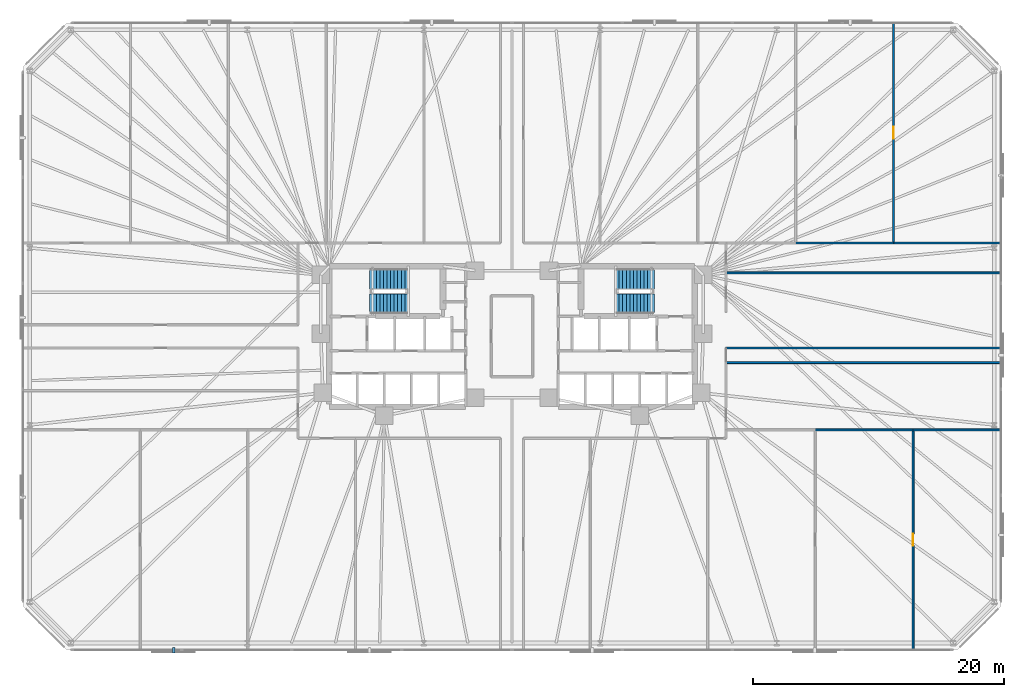
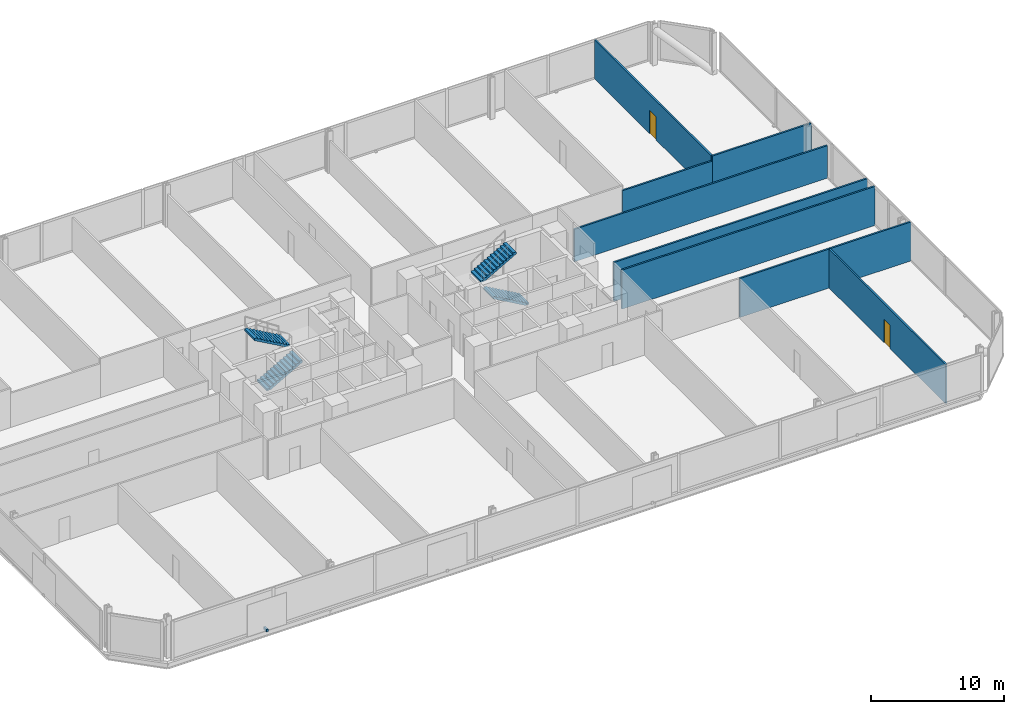
# One storey, part 15 of 17: 9 walls, 4 stair flights, 2 doors, 1 discrete accessory, 2 openings, 2 elements without a shape of their own.
"""IFC4 building model written with IfcOpenShell, lengths in metres."""

from ifc_helpers import new_model, si_unit, direction, frame, frame_2d, origin, origin_2d, place, context, subcontext, project, spatial, polyline, rectangle, outline, extrude, material, layer, layer_set, type_object, element, fill, aggregate, save


model = new_model("IFC4")

# Units and contexts
model_context = context("Model", 3, precision=1e-05, world=origin(), true_north=direction((0.0, 1.0)))
body_context = subcontext(model_context, "Body", "Model", "MODEL_VIEW")
ifc_project = project(units=[si_unit("LENGTHUNIT", "METRE"), si_unit("AREAUNIT", "SQUARE_METRE"), si_unit("VOLUMEUNIT", "CUBIC_METRE"), si_unit("PLANEANGLEUNIT", "RADIAN"), si_unit("MASSUNIT", "GRAM", prefix="KILO")], contexts=[model_context])

# Site, building, storey
site_placement = place(None, origin())
site = spatial("IfcSite", under=ifc_project, at=site_placement, CompositionType="ELEMENT")
building_placement = place(site_placement, origin())
building = spatial("IfcBuilding", under=site, at=building_placement, Name="Menara Jurai Vektor", CompositionType="ELEMENT")
storey_placement = place(building_placement, frame((0.0, 0.0, 37.0)))
storey = spatial("IfcBuildingStorey", under=building, at=storey_placement, Name="L08", CompositionType="ELEMENT", Elevation=37.0)

# Wall
ifc_material_1 = material(Name="Gypsum Fireboard Partition", Category="gypsum")
ifc_layer_1 = layer(ifc_material_1, 0.14990234375)
ifc_layer_set_1 = layer_set([ifc_layer_1], Name="Gypsum Fireboard Partition")
wall_type_1 = type_object("IfcWallType", Name="INT-WALL-CORR-150", PredefinedType="PARTITIONING", material=ifc_layer_set_1)
wall_1_placement = place(storey_placement, frame((17.05908203125, -0.919921875, 0.0), z_axis=(0.0, 0.0, 1.0), x_axis=(1.0, 0.0, 0.0)))
element("IfcWall", 1, at=wall_1_placement, inside=storey, type_object=wall_type_1, Name="Interior Wall IW-150 L08", PredefinedType="PARTITIONING", context=body_context, shape_type="SweptSolid", body=[
    extrude(rectangle(XDim=21.94091796875, YDim=0.14990234375, at=frame_2d((10.970458984375, 0.0))), origin(), (0.0, 0.0, 1.0), 3.574951171875),
])

# Wall, opening, door
wall_2_placement = place(storey_placement, frame((30.419921875, 7.449951171875, 0.0), z_axis=(0.0, 0.0, 1.0), x_axis=(0.0, 1.0, 0.0)))
wall_2 = element("IfcWall", 2, at=wall_2_placement, inside=storey, type_object=wall_type_1, Name="Interior Wall IW-150 L08", PredefinedType="PARTITIONING", context=body_context, shape_type="SweptSolid", body=[
    extrude(rectangle(XDim=17.550048828125, YDim=0.14990234375, at=frame_2d((8.77490234375, 0.0))), origin(), (0.0, 0.0, 1.0), 3.574951171875),
])
opening_1_placement = place(wall_2_placement, frame((8.300048828125, 0.0, 0.0)))
opening_1 = element("IfcOpeningElement", 3, at=opening_1_placement, cuts=wall_2, Name="Opening D08-28", PredefinedType="OPENING", context=body_context, shape_type="SweptSolid", body=[
    extrude(rectangle(XDim=0.949951171875, YDim=2.14990234375, at=frame_2d((0.47509765625, 1.074951171875))), frame((0.0, 0.0849609375, 0.0), z_axis=(0.0, -1.0, 0.0), x_axis=(1.0, 0.0, 0.0)), (0.0, 0.0, 1.0), 0.169921875),
])
ifc_material_2 = material(Name="Solid Core Timber Fire Door", Category="wood")
door_type = type_object("IfcDoorType", Name="DR-ENTRY-950", OperationType="NOTDEFINED", PredefinedType="DOOR", material=ifc_material_2)
door_1_placement = place(opening_1_placement, origin())
door_1 = element("IfcDoor", 4, at=door_1_placement, inside=storey, type_object=door_type, Name="Interior Door D08-28", OperationType="SINGLE_SWING_LEFT", OverallHeight=2.14990234375, OverallWidth=0.949951171875, PredefinedType="DOOR", context=body_context, shape_type="SweptSolid", body=[
    extrude(rectangle(XDim=0.949951171875, YDim=2.14990234375, at=frame_2d((0.47509765625, 1.074951171875))), frame((0.0, 0.02490234375, 0.0), z_axis=(0.0, -1.0, 0.0), x_axis=(1.0, 0.0, 0.0)), (0.0, 0.0, 1.0), 0.050048828125),
])
fill(opening_1, door_1)

# Wall
wall_3_placement = place(storey_placement, frame((30.419921875, 7.449951171875, 0.0), z_axis=(0.0, 0.0, 1.0), x_axis=(1.0, 0.0, 0.0)))
element("IfcWall", 5, at=wall_3_placement, inside=storey, type_object=wall_type_1, Name="Interior Wall IW-150 L08", PredefinedType="PARTITIONING", context=body_context, shape_type="SweptSolid", body=[
    extrude(rectangle(XDim=8.580078125, YDim=0.14990234375, at=frame_2d((4.2900390625, 0.0))), origin(), (0.0, 0.0, 1.0), 3.574951171875),
])

# Wall, opening, door
wall_4_placement = place(storey_placement, frame((31.97998046875, -25.0, 0.0), z_axis=(0.0, 0.0, 1.0), x_axis=(0.0, 1.0, 0.0)))
wall_4 = element("IfcWall", 6, at=wall_4_placement, inside=storey, type_object=wall_type_1, Name="Interior Wall IW-150 L08", PredefinedType="PARTITIONING", context=body_context, shape_type="SweptSolid", body=[
    extrude(rectangle(XDim=17.550048828125, YDim=0.14990234375, at=frame_2d((8.77490234375, 0.0))), origin(), (0.0, 0.0, 1.0), 3.574951171875),
])
opening_2_placement = place(wall_4_placement, frame((8.300048828125, 0.0, 0.0)))
opening_2 = element("IfcOpeningElement", 7, at=opening_2_placement, cuts=wall_4, Name="Opening D08-32", PredefinedType="OPENING", context=body_context, shape_type="SweptSolid", body=[
    extrude(rectangle(XDim=0.949951171875, YDim=2.14990234375, at=frame_2d((0.47509765625, 1.074951171875))), frame((0.0, 0.0849609375, 0.0), z_axis=(0.0, -1.0, 0.0), x_axis=(1.0, 0.0, 0.0)), (0.0, 0.0, 1.0), 0.169921875),
])
door_2_placement = place(opening_2_placement, origin())
door_2 = element("IfcDoor", 8, at=door_2_placement, inside=storey, type_object=door_type, Name="Interior Door D08-32", OperationType="SINGLE_SWING_LEFT", OverallHeight=2.14990234375, OverallWidth=0.949951171875, PredefinedType="DOOR", context=body_context, shape_type="SweptSolid", body=[
    extrude(rectangle(XDim=0.949951171875, YDim=2.14990234375, at=frame_2d((0.47509765625, 1.074951171875))), frame((0.0, 0.02490234375, 0.0), z_axis=(0.0, -1.0, 0.0), x_axis=(1.0, 0.0, 0.0)), (0.0, 0.0, 1.0), 0.050048828125),
])
fill(opening_2, door_2)

# Walls
wall_5_placement = place(storey_placement, frame((24.179931640625, -7.449951171875, 0.0), z_axis=(0.0, 0.0, 1.0), x_axis=(1.0, 0.0, 0.0)))
element("IfcWall", 9, at=wall_5_placement, inside=storey, type_object=wall_type_1, Name="Interior Wall IW-150 L08", PredefinedType="PARTITIONING", context=body_context, shape_type="SweptSolid", body=[
    extrude(rectangle(XDim=7.800048828125, YDim=0.14990234375, at=frame_2d((3.89990234375, 0.0))), origin(), (0.0, 0.0, 1.0), 3.574951171875),
])
wall_6_placement = place(storey_placement, frame((31.97998046875, -7.449951171875, 0.0), z_axis=(0.0, 0.0, 1.0), x_axis=(1.0, 0.0, 0.0)))
element("IfcWall", 10, at=wall_6_placement, inside=storey, type_object=wall_type_1, Name="Interior Wall IW-150 L08", PredefinedType="PARTITIONING", context=body_context, shape_type="SweptSolid", body=[
    extrude(rectangle(XDim=7.02001953125, YDim=0.14990234375, at=frame_2d((3.510009765625, 0.0))), origin(), (0.0, 0.0, 1.0), 3.574951171875),
])
wall_7_placement = place(storey_placement, frame((17.05908203125, -2.0859375, 0.0), z_axis=(0.0, 0.0, 1.0), x_axis=(1.0, 0.0, 0.0)))
element("IfcWall", 11, at=wall_7_placement, inside=storey, type_object=wall_type_1, Name="Interior Wall IW-150 L08", PredefinedType="PARTITIONING", context=body_context, shape_type="SweptSolid", body=[
    extrude(rectangle(XDim=21.94091796875, YDim=0.14990234375, at=frame_2d((10.970458984375, 0.0))), origin(), (0.0, 0.0, 1.0), 3.574951171875),
])
ifc_layer_2 = layer(ifc_material_1, 0.14990234375)
ifc_layer_set_2 = layer_set([ifc_layer_2], Name="Gypsum Fireboard Partition")
wall_type_2 = type_object("IfcWallType", Name="INT-WALL-CORR-150-H1", PredefinedType="PARTITIONING", material=ifc_layer_set_2)
wall_8_placement = place(storey_placement, frame((22.6201171875, 7.449951171875, 0.0), z_axis=(0.0, 0.0, 1.0), x_axis=(1.0, 0.0, 0.0)))
element("IfcWall", 12, at=wall_8_placement, inside=storey, type_object=wall_type_2, Name="Interior Wall IW-150 L08", PredefinedType="PARTITIONING", context=body_context, shape_type="SweptSolid", body=[
    extrude(rectangle(XDim=7.7998046875, YDim=0.14990234375, at=frame_2d((3.89990234375, 0.0))), origin(), (0.0, 0.0, 1.0), 3.125),
])
ifc_layer_3 = layer(ifc_material_1, 0.14990234375)
ifc_layer_set_3 = layer_set([ifc_layer_3], Name="Gypsum Fireboard Partition")
wall_type_3 = type_object("IfcWallType", Name="INT-WALL-CORR-150-H2", PredefinedType="PARTITIONING", material=ifc_layer_set_3)
wall_9_placement = place(storey_placement, frame((17.05908203125, 5.06591796875, 0.0), z_axis=(0.0, 0.0, 1.0), x_axis=(1.0, 0.0, 0.0)))
element("IfcWall", 13, at=wall_9_placement, inside=storey, type_object=wall_type_3, Name="Interior Wall IW-150 L08", PredefinedType="PARTITIONING", context=body_context, shape_type="SweptSolid", body=[
    extrude(rectangle(XDim=21.94091796875, YDim=0.14990234375, at=frame_2d((10.970458984375, 0.0))), origin(), (0.0, 0.0, 1.0), 2.97509765625),
])

# Stair, stair flights
ifc_material_3 = material(Name="Concrete C40/50", Category="concrete")
stair_type = type_object("IfcStairType", Name="STAIR-DOGLEG-1500", PredefinedType="HALF_TURN_STAIR", material=ifc_material_3)
stair_1_placement = place(storey_placement, origin())
stair_1 = element("IfcStair", 14, at=stair_1_placement, inside=storey, type_object=stair_type, Name="Protected Exit Stair ST1 L08", PredefinedType="HALF_TURN_STAIR")
stair_flight_type = type_object("IfcStairFlightType", Name="STAIR-FLIGHT-1500", PredefinedType="STRAIGHT", material=ifc_material_3)
stair_flight_1_placement = place(storey_placement, frame((-11.35009765625, 2.64990234375, 0.0), z_axis=(0.0, 0.0, 1.0), x_axis=(1.0, 0.0, 0.0)))
stair_flight_1 = element("IfcStairFlight", 15, at=stair_flight_1_placement, type_object=stair_flight_type, Name="ST1 flight 1", NumberOfRisers=12, NumberOfTreads=11, PredefinedType="STRAIGHT", RiserHeight=0.158333, TreadLength=0.28, context=body_context, shape_type="SweptSolid", body=[
    extrude(outline(polyline([(0.0, 0.0), (0.0, 0.158447265625), (0.280029296875, 0.158447265625), (0.280029296875, 0.316650390625), (0.56005859375, 0.316650390625), (0.56005859375, 0.47509765625), (0.840087890625, 0.47509765625), (0.840087890625, 0.63330078125), (1.1201171875, 0.63330078125), (1.1201171875, 0.791748046875), (1.39990234375, 0.791748046875), (1.39990234375, 0.949951171875), (1.679931640625, 0.949951171875), (1.679931640625, 1.1083984375), (1.9599609375, 1.1083984375), (1.9599609375, 1.2666015625), (2.239990234375, 1.2666015625), (2.239990234375, 1.425048828125), (2.52001953125, 1.425048828125), (2.52001953125, 1.583251953125), (2.800048828125, 1.583251953125), (2.800048828125, 1.74169921875), (3.080078125, 1.74169921875), (3.080078125, 1.89990234375), (3.080078125, 1.557861328125), (0.324951171875, 0.0), (0.0, 0.0)])), frame((0.0, 0.75, 0.0), z_axis=(0.0, -1.0, 0.0), x_axis=(1.0, 0.0, 0.0)), (0.0, 0.0, 1.0), 1.5),
])
stair_flight_2_placement = place(storey_placement, frame((-8.27001953125, 4.550048828125, 1.89990234375), z_axis=(0.0, 0.0, 1.0), x_axis=(-1.0, 0.0, 0.0)))
stair_flight_2 = element("IfcStairFlight", 16, at=stair_flight_2_placement, type_object=stair_flight_type, Name="ST1 flight 2", NumberOfRisers=12, NumberOfTreads=11, PredefinedType="STRAIGHT", RiserHeight=0.158333, TreadLength=0.28, context=body_context, shape_type="SweptSolid", body=[
    extrude(outline(polyline([(0.0, 0.0), (0.0, 0.158447265625), (0.280029296875, 0.158447265625), (0.280029296875, 0.316650390625), (0.56005859375, 0.316650390625), (0.56005859375, 0.47509765625), (0.840087890625, 0.47509765625), (0.840087890625, 0.63330078125), (1.1201171875, 0.63330078125), (1.1201171875, 0.791748046875), (1.39990234375, 0.791748046875), (1.39990234375, 0.949951171875), (1.679931640625, 0.949951171875), (1.679931640625, 1.1083984375), (1.9599609375, 1.1083984375), (1.9599609375, 1.2666015625), (2.239990234375, 1.2666015625), (2.239990234375, 1.425048828125), (2.52001953125, 1.425048828125), (2.52001953125, 1.583251953125), (2.800048828125, 1.583251953125), (2.800048828125, 1.74169921875), (3.080078125, 1.74169921875), (3.080078125, 1.89990234375), (3.080078125, 1.557861328125), (0.324951171875, 0.0), (0.0, 0.0)])), frame((0.0, 0.75, 0.0), z_axis=(0.0, -1.0, 0.0), x_axis=(1.0, 0.0, 0.0)), (0.0, 0.0, 1.0), 1.5),
])
aggregate(stair_1, [stair_flight_1, stair_flight_2])

stair_2_placement = place(storey_placement, origin())
stair_2 = element("IfcStair", 17, at=stair_2_placement, inside=storey, type_object=stair_type, Name="Protected Exit Stair ST2 L08", PredefinedType="HALF_TURN_STAIR")
stair_flight_3_placement = place(storey_placement, frame((11.35009765625, 2.64990234375, 0.0), z_axis=(0.0, 0.0, 1.0), x_axis=(-1.0, 0.0, 0.0)))
stair_flight_3 = element("IfcStairFlight", 18, at=stair_flight_3_placement, type_object=stair_flight_type, Name="ST2 flight 1", NumberOfRisers=12, NumberOfTreads=11, PredefinedType="STRAIGHT", RiserHeight=0.158333, TreadLength=0.28, context=body_context, shape_type="SweptSolid", body=[
    extrude(outline(polyline([(0.0, 0.0), (0.0, 0.158447265625), (0.280029296875, 0.158447265625), (0.280029296875, 0.316650390625), (0.56005859375, 0.316650390625), (0.56005859375, 0.47509765625), (0.840087890625, 0.47509765625), (0.840087890625, 0.63330078125), (1.1201171875, 0.63330078125), (1.1201171875, 0.791748046875), (1.39990234375, 0.791748046875), (1.39990234375, 0.949951171875), (1.679931640625, 0.949951171875), (1.679931640625, 1.1083984375), (1.9599609375, 1.1083984375), (1.9599609375, 1.2666015625), (2.239990234375, 1.2666015625), (2.239990234375, 1.425048828125), (2.52001953125, 1.425048828125), (2.52001953125, 1.583251953125), (2.800048828125, 1.583251953125), (2.800048828125, 1.74169921875), (3.080078125, 1.74169921875), (3.080078125, 1.89990234375), (3.080078125, 1.557861328125), (0.324951171875, 0.0), (0.0, 0.0)])), frame((0.0, 0.75, 0.0), z_axis=(0.0, -1.0, 0.0), x_axis=(1.0, 0.0, 0.0)), (0.0, 0.0, 1.0), 1.5),
])
stair_flight_4_placement = place(storey_placement, frame((8.27001953125, 4.550048828125, 1.89990234375), z_axis=(0.0, 0.0, 1.0), x_axis=(1.0, 0.0, 0.0)))
stair_flight_4 = element("IfcStairFlight", 19, at=stair_flight_4_placement, type_object=stair_flight_type, Name="ST2 flight 2", NumberOfRisers=12, NumberOfTreads=11, PredefinedType="STRAIGHT", RiserHeight=0.158333, TreadLength=0.28, context=body_context, shape_type="SweptSolid", body=[
    extrude(outline(polyline([(0.0, 0.0), (0.0, 0.158447265625), (0.280029296875, 0.158447265625), (0.280029296875, 0.316650390625), (0.56005859375, 0.316650390625), (0.56005859375, 0.47509765625), (0.840087890625, 0.47509765625), (0.840087890625, 0.63330078125), (1.1201171875, 0.63330078125), (1.1201171875, 0.791748046875), (1.39990234375, 0.791748046875), (1.39990234375, 0.949951171875), (1.679931640625, 0.949951171875), (1.679931640625, 1.1083984375), (1.9599609375, 1.1083984375), (1.9599609375, 1.2666015625), (2.239990234375, 1.2666015625), (2.239990234375, 1.425048828125), (2.52001953125, 1.425048828125), (2.52001953125, 1.583251953125), (2.800048828125, 1.583251953125), (2.800048828125, 1.74169921875), (3.080078125, 1.74169921875), (3.080078125, 1.89990234375), (3.080078125, 1.557861328125), (0.324951171875, 0.0), (0.0, 0.0)])), frame((0.0, 0.75, 0.0), z_axis=(0.0, -1.0, 0.0), x_axis=(1.0, 0.0, 0.0)), (0.0, 0.0, 1.0), 1.5),
])
aggregate(stair_2, [stair_flight_3, stair_flight_4])

# Discrete accessory
ifc_material_4 = material(Name="Steel S355", Category="steel")
discrete_accessory_type = type_object("IfcDiscreteAccessoryType", Name="ENV-ACC-BRACKET", PredefinedType="BRACKET", material=ifc_material_4)
discrete_accessory_placement = place(storey_placement, frame((-26.97998046875, -25.010009765625, -0.1298828125), z_axis=(0.0, 0.0, 1.0), x_axis=(1.0, 0.0, 0.0)))
element("IfcDiscreteAccessory", 20, at=discrete_accessory_placement, inside=storey, type_object=discrete_accessory_type, Name="Solar Screen Stand-Off Bracket L08-S01", PredefinedType="BRACKET", context=body_context, shape_type="SweptSolid", body=[
    extrude(rectangle(XDim=0.179931640625, YDim=0.43994140625, at=origin_2d()), origin(), (0.0, 0.0, 1.0), 0.219970703125),
])

save(model, "model.ifc")
